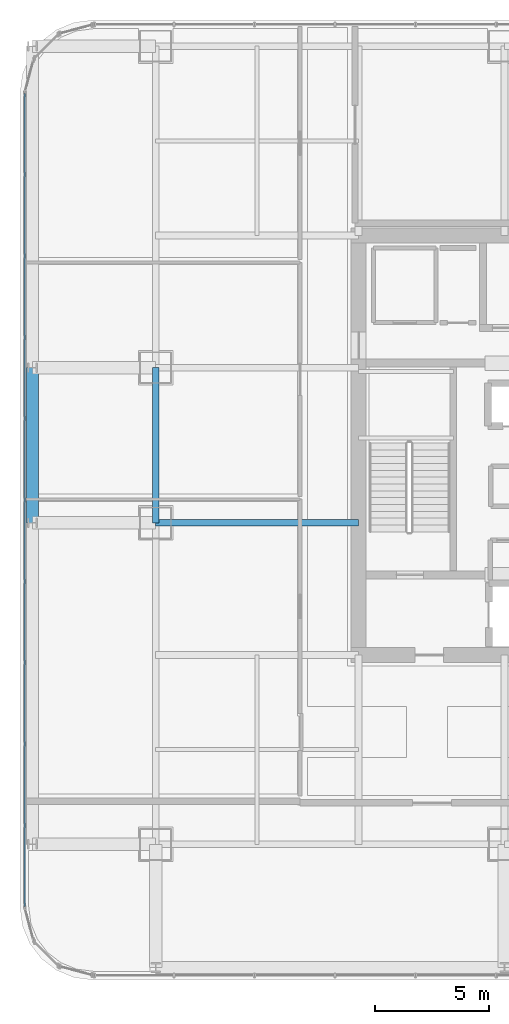
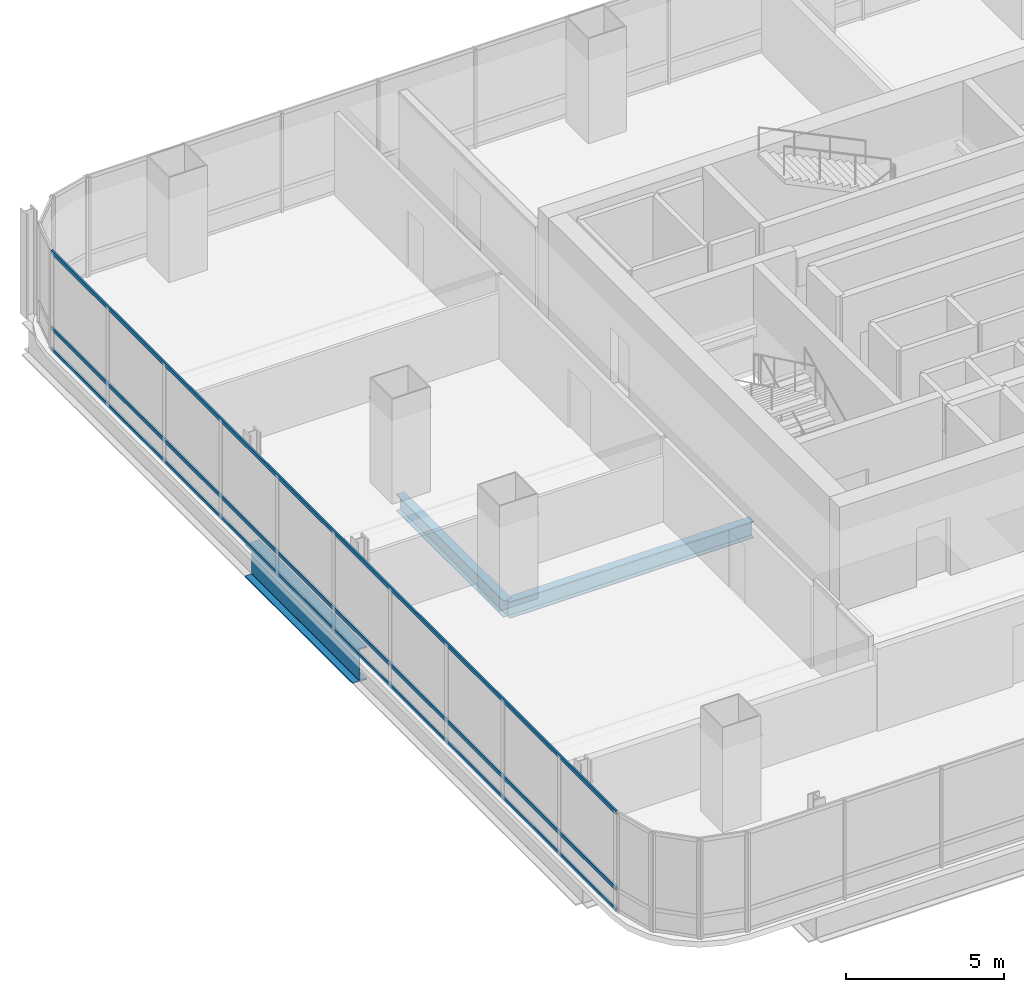
# One storey, part 10 of 36: 3 beams, 3 members, 1 element without a shape of its own.
"""IFC4 building model written with IfcOpenShell, lengths in metres."""

from ifc_helpers import new_model, si_unit, direction, frame, origin, origin_2d, place, context, subcontext, project, spatial, hollow_rectangle, i_section, extrude, material, material_profile, profile_set, type_object, element, aggregate, save


model = new_model("IFC4")

# Units and contexts
model_context = context("Model", 3, precision=1e-05, world=origin(), true_north=direction((0.0, 1.0)))
body_context = subcontext(model_context, "Body", "Model", "MODEL_VIEW")
ifc_project = project(units=[si_unit("LENGTHUNIT", "METRE"), si_unit("AREAUNIT", "SQUARE_METRE"), si_unit("VOLUMEUNIT", "CUBIC_METRE"), si_unit("PLANEANGLEUNIT", "RADIAN"), si_unit("MASSUNIT", "GRAM", prefix="KILO")], contexts=[model_context])

# Site, building, storey
site_placement = place(None, origin())
site = spatial("IfcSite", under=ifc_project, at=site_placement, CompositionType="ELEMENT")
building_placement = place(site_placement, origin())
building = spatial("IfcBuilding", under=site, at=building_placement, Name="Punatoya Terracotta Tower", CompositionType="ELEMENT")
storey_placement = place(building_placement, frame((0.0, 0.0, 196.5)))
storey = spatial("IfcBuildingStorey", under=building, at=storey_placement, Name="L46", CompositionType="ELEMENT", Elevation=196.5)

# Beams
ifc_material_1 = material(Name="Steel S355", Category="steel")
ifc_material_profile_1 = material_profile(ifc_material_1, i_section(OverallWidth=0.300048828125, OverallDepth=0.64990234375, WebThickness=0.01611328125, FlangeThickness=0.031005859375, FilletRadius=0.01806640625, at=origin_2d()))
ifc_profile_set_1 = profile_set([ifc_material_profile_1], Name="Steel S355")
beam_type_1 = type_object("IfcBeamType", Name="BM-PRI-650", PredefinedType="BEAM", material=ifc_profile_set_1)
beam_1_placement = place(storey_placement, frame((-19.10009765625, -3.39990234375, -0.544921875), z_axis=(0.0, 1.0, 0.0), x_axis=(-1.0, 0.0, 0.0)))
element("IfcBeam", 1, at=beam_1_placement, inside=storey, type_object=beam_type_1, Name="BM-L46-RG-W2", PredefinedType="BEAM", context=body_context, shape_type="SweptSolid", body=[
    extrude(i_section(OverallWidth=0.300048828125, OverallDepth=0.64990234375, WebThickness=0.01611328125, FlangeThickness=0.031005859375, FilletRadius=0.01806640625, at=origin_2d()), origin(), (0.0, 0.0, 1.0), 6.7998046875),
])
beam_2_placement = place(storey_placement, frame((-19.10009765625, -3.39990234375, -0.544921875), z_axis=(1.0, 0.0, 0.0), x_axis=(0.0, 1.0, 0.0)))
element("IfcBeam", 2, at=beam_2_placement, inside=storey, type_object=beam_type_1, Name="BM-L46-PR-WD", PredefinedType="BEAM", context=body_context, shape_type="SweptSolid", body=[
    extrude(i_section(OverallWidth=0.300048828125, OverallDepth=0.64990234375, WebThickness=0.01611328125, FlangeThickness=0.031005859375, FilletRadius=0.01806640625, at=origin_2d()), origin(), (0.0, 0.0, 1.0), 8.900146484375),
])
ifc_material_2 = material(Name="Steel S460", Category="steel")
ifc_material_profile_2 = material_profile(ifc_material_2, i_section(OverallWidth=0.52001953125, OverallDepth=1.280029296875, WebThickness=0.031982421875, FlangeThickness=0.050048828125, FilletRadius=0.01806640625, at=origin_2d()))
ifc_profile_set_2 = profile_set([ifc_material_profile_2], Name="Steel S460")
beam_type_2 = type_object("IfcBeamType", Name="BM-TG-NCK", PredefinedType="BEAM", material=ifc_profile_set_2)
beam_3_placement = place(storey_placement, frame((-24.5, -3.39990234375, -0.860107421875), z_axis=(0.0, 1.0, 0.0), x_axis=(-1.0, 0.0, 0.0)))
element("IfcBeam", 3, at=beam_3_placement, inside=storey, type_object=beam_type_2, Name="BM-L46-PER-W2", PredefinedType="BEAM", context=body_context, shape_type="SweptSolid", body=[
    extrude(i_section(OverallWidth=0.52001953125, OverallDepth=1.280029296875, WebThickness=0.031982421875, FlangeThickness=0.050048828125, FilletRadius=0.01806640625, at=origin_2d()), origin(), (0.0, 0.0, 1.0), 6.7998046875),
])

# Curtain wall, members
ifc_material_3 = material(Name="Aluminium 6063-T6 + Double Low-E Glass", Category="aluminium")
curtain_wall_type = type_object("IfcCurtainWallType", Name="CW-M2", PredefinedType="NOTDEFINED", material=ifc_material_3)
curtain_wall_placement = place(storey_placement, origin())
curtain_wall = element("IfcCurtainWall", 4, at=curtain_wall_placement, inside=storey, type_object=curtain_wall_type, Name="L46 Curtain Wall CW-L46-W13-1", PredefinedType="NOTDEFINED")
ifc_material_4 = material(Name="Aluminium 6063-T6", Category="aluminium")
ifc_material_profile_3 = material_profile(ifc_material_4, hollow_rectangle(XDim=0.068115234375, YDim=0.14990234375, WallThickness=0.00390625, at=origin_2d()))
ifc_profile_set_3 = profile_set([ifc_material_profile_3], Name="Aluminium 6063-T6")
member_type = type_object("IfcMemberType", Name="CW-TRN-TYP", PredefinedType="USERDEFINED", material=ifc_profile_set_3)
member_1_placement = place(storey_placement, frame((-24.85009765625, 15.43701171875, 0.0400390625), z_axis=(0.0, -1.0, 0.0), x_axis=(1.0, 0.0, 0.0)))
member_1 = element("IfcMember", 5, at=member_1_placement, type_object=member_type, Name="CW-L46-W13-1 Transom 1", ObjectType="TRANSOM", PredefinedType="USERDEFINED", context=body_context, shape_type="SweptSolid", body=[
    extrude(hollow_rectangle(XDim=0.068115234375, YDim=0.14990234375, WallThickness=0.00390625, at=origin_2d()), origin(), (0.0, 0.0, 1.0), 35.673828125),
])
member_2_placement = place(storey_placement, frame((-24.85009765625, 15.43701171875, 0.85009765625), z_axis=(0.0, -1.0, 0.0), x_axis=(1.0, 0.0, 0.0)))
member_2 = element("IfcMember", 6, at=member_2_placement, type_object=member_type, Name="CW-L46-W13-1 Transom 2", ObjectType="TRANSOM", PredefinedType="USERDEFINED", context=body_context, shape_type="SweptSolid", body=[
    extrude(hollow_rectangle(XDim=0.068115234375, YDim=0.14990234375, WallThickness=0.00390625, at=origin_2d()), origin(), (0.0, 0.0, 1.0), 35.673828125),
])
member_3_placement = place(storey_placement, frame((-24.85009765625, 15.43701171875, 3.7900390625), z_axis=(0.0, -1.0, 0.0), x_axis=(1.0, 0.0, 0.0)))
member_3 = element("IfcMember", 7, at=member_3_placement, type_object=member_type, Name="CW-L46-W13-1 Transom 3", ObjectType="TRANSOM", PredefinedType="USERDEFINED", context=body_context, shape_type="SweptSolid", body=[
    extrude(hollow_rectangle(XDim=0.068115234375, YDim=0.14990234375, WallThickness=0.00390625, at=origin_2d()), origin(), (0.0, 0.0, 1.0), 35.673828125),
])
aggregate(curtain_wall, [member_1, member_2, member_3])

save(model, "model.ifc")
